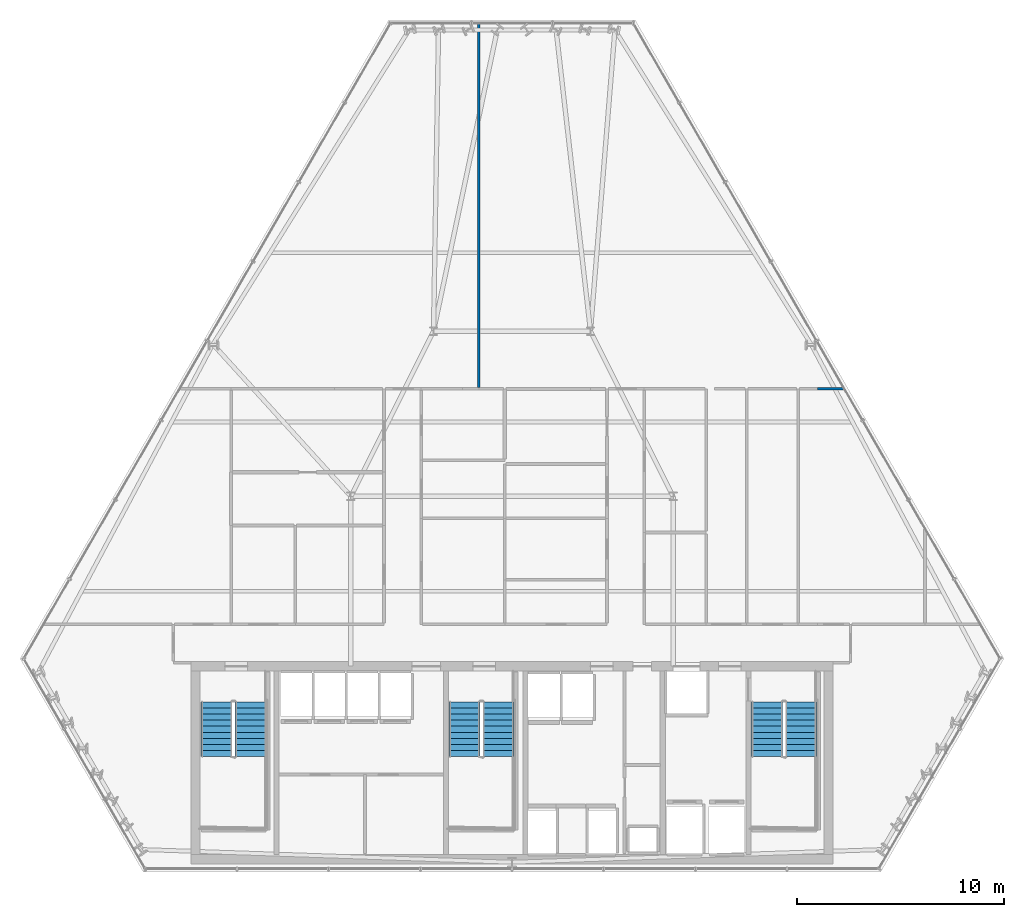
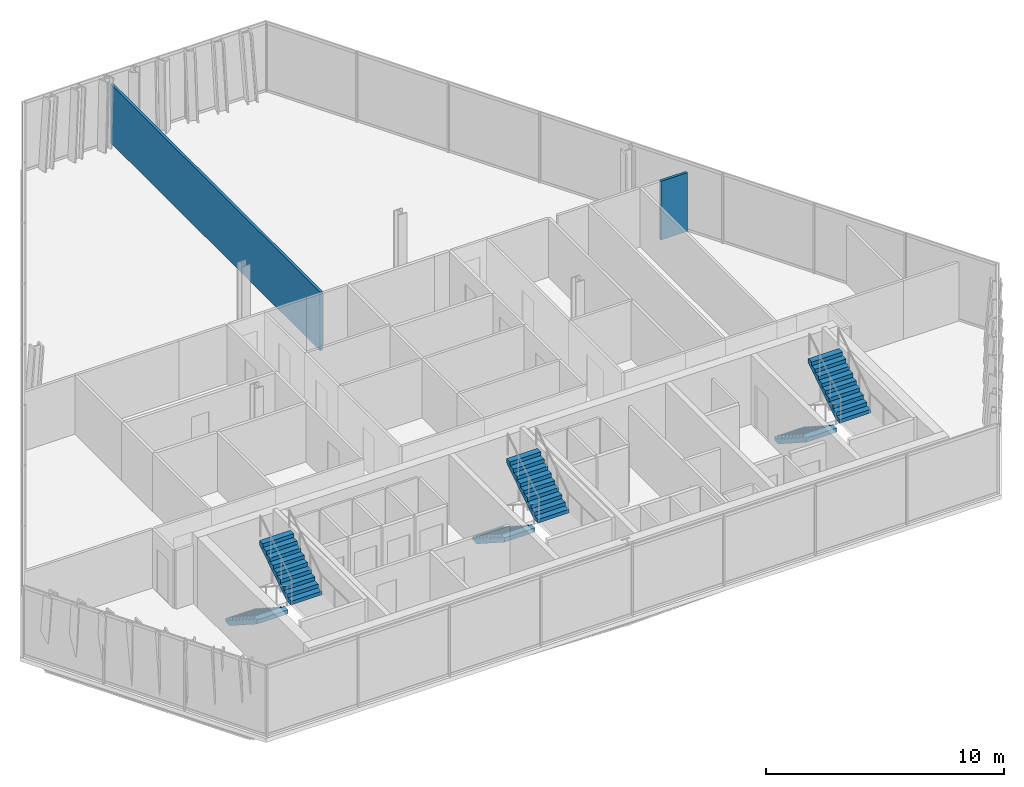
# One storey, part 28 of 31: 6 stair flights, 2 walls, 3 elements without a shape of their own.
"""IFC4 building model written with IfcOpenShell, lengths in metres."""

from ifc_helpers import new_model, si_unit, direction, frame, frame_2d, origin, place, context, subcontext, project, spatial, polyline, rectangle, outline, extrude, material, layer, layer_set, type_object, element, aggregate, save


model = new_model("IFC4")

# Units and contexts
model_context = context("Model", 3, precision=1e-05, world=origin(), true_north=direction((0.0, 1.0)))
body_context = subcontext(model_context, "Body", "Model", "MODEL_VIEW")
ifc_project = project(units=[si_unit("LENGTHUNIT", "METRE"), si_unit("AREAUNIT", "SQUARE_METRE"), si_unit("VOLUMEUNIT", "CUBIC_METRE"), si_unit("PLANEANGLEUNIT", "RADIAN"), si_unit("MASSUNIT", "GRAM", prefix="KILO")], contexts=[model_context])

# Site, building, storey
site_placement = place(None, origin())
site = spatial("IfcSite", under=ifc_project, at=site_placement, CompositionType="ELEMENT")
building_placement = place(site_placement, origin())
building = spatial("IfcBuilding", under=site, at=building_placement, Name="Ndaravel Arena Tower", CompositionType="ELEMENT")
storey_placement = place(building_placement, frame((0.0, 0.0, 146.0)))
storey = spatial("IfcBuildingStorey", under=building, at=storey_placement, Name="L34", CompositionType="ELEMENT", Elevation=146.0)

# Walls
ifc_material_1 = material(Name="Gypsum", Category="gypsum")
ifc_layer = layer(ifc_material_1, 0.125)
ifc_layer_set = layer_set([ifc_layer], Name="Gypsum")
wall_type = type_object("IfcWallType", Name="WALL-PART-125", PredefinedType="PARTITIONING", material=ifc_layer_set)
wall_1_placement = place(storey_placement, frame((56.800048828125, 28.39990234375, 0.0), z_axis=(0.0, 0.0, 1.0), x_axis=(1.0, 0.0, 0.0)))
element("IfcWall", 1, at=wall_1_placement, inside=storey, type_object=wall_type, Name="L34 Interior Partition 046", PredefinedType="PARTITIONING", context=body_context, shape_type="SweptSolid", body=[
    extrude(rectangle(XDim=1.30126953125, YDim=0.125, at=frame_2d((0.650634765625, 0.0))), origin(), (0.0, 0.0, 1.0), 3.010498046875),
])
wall_2_placement = place(storey_placement, frame((40.389892578125, 46.10498046875, 0.0), z_axis=(0.0, 0.0, 1.0), x_axis=(0.0, -1.0, 0.0)))
element("IfcWall", 2, at=wall_2_placement, inside=storey, type_object=wall_type, Name="L34 Interior Partition 067", PredefinedType="PARTITIONING", context=body_context, shape_type="SweptSolid", body=[
    extrude(rectangle(XDim=17.639892578125, YDim=0.125, at=frame_2d((8.81982421875, 0.0))), origin(), (0.0, 0.0, 1.0), 3.010498046875),
])

# Stair, stair flights
ifc_material_2 = material(Name="Concrete C40/50", Category="concrete")
stair_type = type_object("IfcStairType", Name="STAIR-CORE-HT", PredefinedType="HALF_TURN_STAIR", material=ifc_material_2)
stair_1_placement = place(storey_placement, origin())
stair_1 = element("IfcStair", 3, at=stair_1_placement, inside=storey, type_object=stair_type, Name="L34 ST-1", PredefinedType="HALF_TURN_STAIR")
ifc_material_3 = material(Name="Concrete C40/50", Category="concrete")
stair_flight_type = type_object("IfcStairFlightType", Name="SFLIGHT-CORE-1680", PredefinedType="STRAIGHT", material=ifc_material_3)
stair_flight_1_placement = place(storey_placement, frame((27.699951171875, 13.25, 0.0), z_axis=(0.0, 0.0, 1.0), x_axis=(0.0, -1.0, 0.0)))
stair_flight_1 = element("IfcStairFlight", 4, at=stair_flight_1_placement, type_object=stair_flight_type, Name="ST-1 flight 1", NumberOfRisers=10, NumberOfTreads=9, PredefinedType="STRAIGHT", RiserHeight=0.19, TreadLength=0.295, context=body_context, shape_type="SweptSolid", body=[
    extrude(outline(polyline([(0.0, 0.0), (0.0, 0.18994140625), (0.294921875, 0.18994140625), (0.294921875, 0.3798828125), (0.590087890625, 0.3798828125), (0.590087890625, 0.570068359375), (0.885009765625, 0.570068359375), (0.885009765625, 0.760009765625), (1.179931640625, 0.760009765625), (1.179931640625, 0.949951171875), (1.47509765625, 0.949951171875), (1.47509765625, 1.139892578125), (1.77001953125, 1.139892578125), (1.77001953125, 1.330078125), (2.06494140625, 1.330078125), (2.06494140625, 1.52001953125), (2.360107421875, 1.52001953125), (2.360107421875, 1.7099609375), (2.655029296875, 1.7099609375), (2.655029296875, 1.89990234375), (2.655029296875, 1.49609375), (0.332275390625, 0.0), (0.0, 0.0)])), frame((0.0, 0.75, 0.0), z_axis=(0.0, -1.0, 0.0), x_axis=(1.0, 0.0, 0.0)), (0.0, 0.0, 1.0), 1.5),
])
stair_flight_2_placement = place(storey_placement, frame((29.340087890625, 10.594970703125, 1.89990234375), z_axis=(0.0, 0.0, 1.0), x_axis=(0.0, 1.0, 0.0)))
stair_flight_2 = element("IfcStairFlight", 5, at=stair_flight_2_placement, type_object=stair_flight_type, Name="ST-1 flight 2", NumberOfRisers=10, NumberOfTreads=9, PredefinedType="STRAIGHT", RiserHeight=0.19, TreadLength=0.295, context=body_context, shape_type="SweptSolid", body=[
    extrude(outline(polyline([(0.0, 0.0), (0.0, 0.18994140625), (0.294921875, 0.18994140625), (0.294921875, 0.3798828125), (0.590087890625, 0.3798828125), (0.590087890625, 0.570068359375), (0.885009765625, 0.570068359375), (0.885009765625, 0.760009765625), (1.179931640625, 0.760009765625), (1.179931640625, 0.949951171875), (1.47509765625, 0.949951171875), (1.47509765625, 1.139892578125), (1.77001953125, 1.139892578125), (1.77001953125, 1.330078125), (2.06494140625, 1.330078125), (2.06494140625, 1.52001953125), (2.360107421875, 1.52001953125), (2.360107421875, 1.7099609375), (2.655029296875, 1.7099609375), (2.655029296875, 1.89990234375), (2.655029296875, 1.49609375), (0.332275390625, 0.0), (0.0, 0.0)])), frame((0.0, 0.75, 0.0), z_axis=(0.0, -1.0, 0.0), x_axis=(1.0, 0.0, 0.0)), (0.0, 0.0, 1.0), 1.5),
])
aggregate(stair_1, [stair_flight_1, stair_flight_2])

stair_2_placement = place(storey_placement, origin())
stair_2 = element("IfcStair", 6, at=stair_2_placement, inside=storey, type_object=stair_type, Name="L34 ST-2", PredefinedType="HALF_TURN_STAIR")
stair_flight_3_placement = place(storey_placement, frame((39.699951171875, 13.25, 0.0), z_axis=(0.0, 0.0, 1.0), x_axis=(0.0, -1.0, 0.0)))
stair_flight_3 = element("IfcStairFlight", 7, at=stair_flight_3_placement, type_object=stair_flight_type, Name="ST-2 flight 1", NumberOfRisers=10, NumberOfTreads=9, PredefinedType="STRAIGHT", RiserHeight=0.19, TreadLength=0.295, context=body_context, shape_type="SweptSolid", body=[
    extrude(outline(polyline([(0.0, 0.0), (0.0, 0.18994140625), (0.294921875, 0.18994140625), (0.294921875, 0.3798828125), (0.590087890625, 0.3798828125), (0.590087890625, 0.570068359375), (0.885009765625, 0.570068359375), (0.885009765625, 0.760009765625), (1.179931640625, 0.760009765625), (1.179931640625, 0.949951171875), (1.47509765625, 0.949951171875), (1.47509765625, 1.139892578125), (1.77001953125, 1.139892578125), (1.77001953125, 1.330078125), (2.06494140625, 1.330078125), (2.06494140625, 1.52001953125), (2.360107421875, 1.52001953125), (2.360107421875, 1.7099609375), (2.655029296875, 1.7099609375), (2.655029296875, 1.89990234375), (2.655029296875, 1.49609375), (0.332275390625, 0.0), (0.0, 0.0)])), frame((0.0, 0.75, 0.0), z_axis=(0.0, -1.0, 0.0), x_axis=(1.0, 0.0, 0.0)), (0.0, 0.0, 1.0), 1.5),
])
stair_flight_4_placement = place(storey_placement, frame((41.340087890625, 10.594970703125, 1.89990234375), z_axis=(0.0, 0.0, 1.0), x_axis=(0.0, 1.0, 0.0)))
stair_flight_4 = element("IfcStairFlight", 8, at=stair_flight_4_placement, type_object=stair_flight_type, Name="ST-2 flight 2", NumberOfRisers=10, NumberOfTreads=9, PredefinedType="STRAIGHT", RiserHeight=0.19, TreadLength=0.295, context=body_context, shape_type="SweptSolid", body=[
    extrude(outline(polyline([(0.0, 0.0), (0.0, 0.18994140625), (0.294921875, 0.18994140625), (0.294921875, 0.3798828125), (0.590087890625, 0.3798828125), (0.590087890625, 0.570068359375), (0.885009765625, 0.570068359375), (0.885009765625, 0.760009765625), (1.179931640625, 0.760009765625), (1.179931640625, 0.949951171875), (1.47509765625, 0.949951171875), (1.47509765625, 1.139892578125), (1.77001953125, 1.139892578125), (1.77001953125, 1.330078125), (2.06494140625, 1.330078125), (2.06494140625, 1.52001953125), (2.360107421875, 1.52001953125), (2.360107421875, 1.7099609375), (2.655029296875, 1.7099609375), (2.655029296875, 1.89990234375), (2.655029296875, 1.49609375), (0.332275390625, 0.0), (0.0, 0.0)])), frame((0.0, 0.75, 0.0), z_axis=(0.0, -1.0, 0.0), x_axis=(1.0, 0.0, 0.0)), (0.0, 0.0, 1.0), 1.5),
])
aggregate(stair_2, [stair_flight_3, stair_flight_4])

stair_3_placement = place(storey_placement, origin())
stair_3 = element("IfcStair", 9, at=stair_3_placement, inside=storey, type_object=stair_type, Name="L34 ST-3", PredefinedType="HALF_TURN_STAIR")
stair_flight_5_placement = place(storey_placement, frame((54.35009765625, 13.25, 0.0), z_axis=(0.0, 0.0, 1.0), x_axis=(0.0, -1.0, 0.0)))
stair_flight_5 = element("IfcStairFlight", 10, at=stair_flight_5_placement, type_object=stair_flight_type, Name="ST-3 flight 1", NumberOfRisers=10, NumberOfTreads=9, PredefinedType="STRAIGHT", RiserHeight=0.19, TreadLength=0.295, context=body_context, shape_type="SweptSolid", body=[
    extrude(outline(polyline([(0.0, 0.0), (0.0, 0.18994140625), (0.294921875, 0.18994140625), (0.294921875, 0.3798828125), (0.590087890625, 0.3798828125), (0.590087890625, 0.570068359375), (0.885009765625, 0.570068359375), (0.885009765625, 0.760009765625), (1.179931640625, 0.760009765625), (1.179931640625, 0.949951171875), (1.47509765625, 0.949951171875), (1.47509765625, 1.139892578125), (1.77001953125, 1.139892578125), (1.77001953125, 1.330078125), (2.06494140625, 1.330078125), (2.06494140625, 1.52001953125), (2.360107421875, 1.52001953125), (2.360107421875, 1.7099609375), (2.655029296875, 1.7099609375), (2.655029296875, 1.89990234375), (2.655029296875, 1.49609375), (0.332275390625, 0.0), (0.0, 0.0)])), frame((0.0, 0.75, 0.0), z_axis=(0.0, -1.0, 0.0), x_axis=(1.0, 0.0, 0.0)), (0.0, 0.0, 1.0), 1.5),
])
stair_flight_6_placement = place(storey_placement, frame((55.989990234375, 10.594970703125, 1.89990234375), z_axis=(0.0, 0.0, 1.0), x_axis=(0.0, 1.0, 0.0)))
stair_flight_6 = element("IfcStairFlight", 11, at=stair_flight_6_placement, type_object=stair_flight_type, Name="ST-3 flight 2", NumberOfRisers=10, NumberOfTreads=9, PredefinedType="STRAIGHT", RiserHeight=0.19, TreadLength=0.295, context=body_context, shape_type="SweptSolid", body=[
    extrude(outline(polyline([(0.0, 0.0), (0.0, 0.18994140625), (0.294921875, 0.18994140625), (0.294921875, 0.3798828125), (0.590087890625, 0.3798828125), (0.590087890625, 0.570068359375), (0.885009765625, 0.570068359375), (0.885009765625, 0.760009765625), (1.179931640625, 0.760009765625), (1.179931640625, 0.949951171875), (1.47509765625, 0.949951171875), (1.47509765625, 1.139892578125), (1.77001953125, 1.139892578125), (1.77001953125, 1.330078125), (2.06494140625, 1.330078125), (2.06494140625, 1.52001953125), (2.360107421875, 1.52001953125), (2.360107421875, 1.7099609375), (2.655029296875, 1.7099609375), (2.655029296875, 1.89990234375), (2.655029296875, 1.49609375), (0.332275390625, 0.0), (0.0, 0.0)])), frame((0.0, 0.75, 0.0), z_axis=(0.0, -1.0, 0.0), x_axis=(1.0, 0.0, 0.0)), (0.0, 0.0, 1.0), 1.5),
])
aggregate(stair_3, [stair_flight_5, stair_flight_6])

save(model, "model.ifc")
